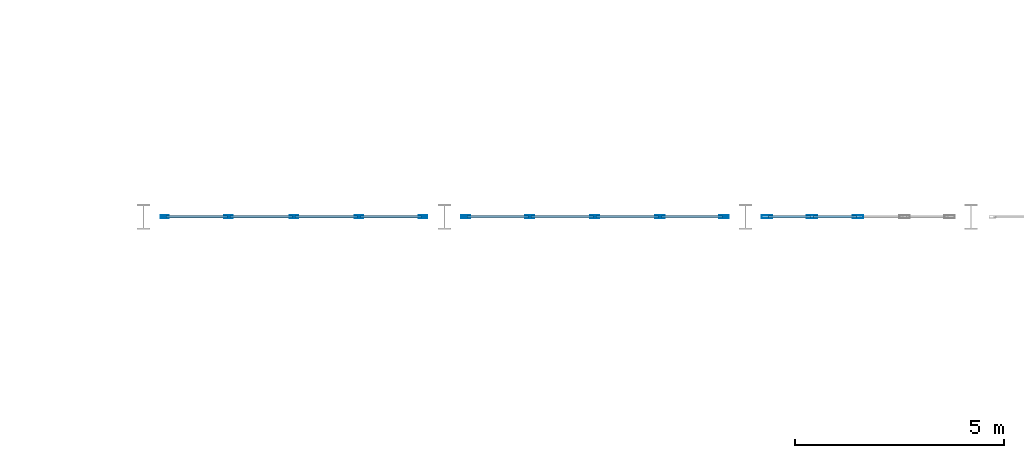
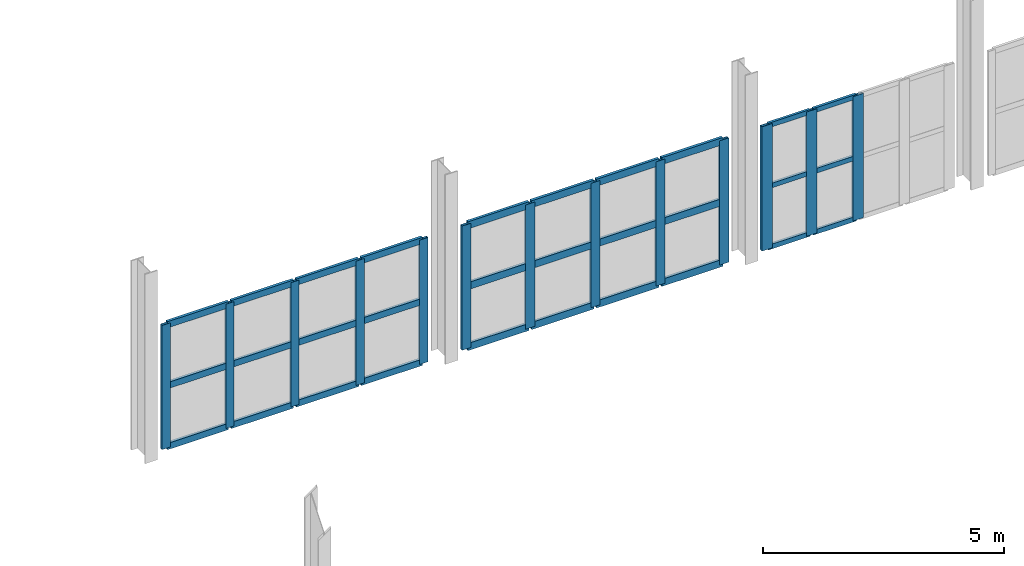
# One storey, part 26 of 41: 43 members, 3 elements without a shape of their own.
"""IFC4 building model written with IfcOpenShell, lengths in metres."""

from ifc_helpers import new_model, si_unit, direction, frame, origin, origin_2d, place, context, subcontext, project, spatial, hollow_rectangle, extrude, material, layer, layer_set, material_profile, profile_set, type_object, element, aggregate, save


model = new_model("IFC4")

# Units and contexts
model_context = context("Model", 3, precision=1e-05, world=origin(), true_north=direction((0.0, 1.0)))
body_context = subcontext(model_context, "Body", "Model", "MODEL_VIEW")
ifc_project = project(units=[si_unit("LENGTHUNIT", "METRE"), si_unit("AREAUNIT", "SQUARE_METRE"), si_unit("VOLUMEUNIT", "CUBIC_METRE"), si_unit("PLANEANGLEUNIT", "RADIAN"), si_unit("MASSUNIT", "GRAM", prefix="KILO")], contexts=[model_context])

# Site, building, storey
site_placement = place(None, origin())
site = spatial("IfcSite", under=ifc_project, at=site_placement, CompositionType="ELEMENT")
building_placement = place(site_placement, origin())
building = spatial("IfcBuilding", under=site, at=building_placement, Name="Solvadek Multi-Sports Hall", CompositionType="ELEMENT")
storey_placement = place(building_placement, frame((0.0, 0.0, 14.39990234375)))
storey = spatial("IfcBuildingStorey", under=building, at=storey_placement, Name="L03", CompositionType="ELEMENT", Elevation=14.39990234375)

# Curtain wall, members
ifc_material = material(Name="Anodised aluminium", Category="aluminium")
ifc_layer_1 = layer(ifc_material, 0.159912109375, Name="Anodised aluminium")
ifc_layer_set_1 = layer_set([ifc_layer_1], Name="Anodised aluminium")
curtain_wall_type_1 = type_object("IfcCurtainWallType", Name="ENV-CW-624X315", PredefinedType="USERDEFINED", material=ifc_layer_set_1)
curtain_wall_1_placement = place(storey_placement, origin())
curtain_wall_1 = element("IfcCurtainWall", 1, at=curtain_wall_1_placement, inside=storey, type_object=curtain_wall_type_1, Name="L03 Perimeter Bay Curtain Wall #132", ObjectType="CURTAIN WALL", PredefinedType="USERDEFINED")
ifc_material_profile_1 = material_profile(ifc_material, hollow_rectangle(XDim=0.06494140625, YDim=0.199951171875, WallThickness=0.0048828125, at=origin_2d()), Name="ALU-M 200x65x5")
ifc_profile_set_1 = profile_set([ifc_material_profile_1], Name="Anodised aluminium")
member_type_1 = type_object("IfcMemberType", Name="ENV-CWM-03", PredefinedType="MULLION", material=ifc_profile_set_1)
member_1_placement = place(storey_placement, frame((137.3125, 70.800048828125, 0.0), z_axis=(0.0, 0.0, 1.0), x_axis=(0.0, 1.0, 0.0)))
member_1 = element("IfcMember", 2, at=member_1_placement, type_object=member_type_1, Name="CW-44 mullion 1", PredefinedType="MULLION", context=body_context, shape_type="SweptSolid", body=[
    extrude(hollow_rectangle(XDim=0.06494140625, YDim=0.199951171875, WallThickness=0.0048828125, at=origin_2d()), origin(), (0.0, 0.0, 1.0), 3.150146484375),
])
member_2_placement = place(storey_placement, frame((138.840087890625, 70.800048828125, 0.0), z_axis=(0.0, 0.0, 1.0), x_axis=(0.0, 1.0, 0.0)))
member_2 = element("IfcMember", 3, at=member_2_placement, type_object=member_type_1, Name="CW-44 mullion 2", PredefinedType="MULLION", context=body_context, shape_type="SweptSolid", body=[
    extrude(hollow_rectangle(XDim=0.06494140625, YDim=0.199951171875, WallThickness=0.0048828125, at=origin_2d()), origin(), (0.0, 0.0, 1.0), 3.150146484375),
])
member_3_placement = place(storey_placement, frame((140.39990234375, 70.800048828125, 0.0), z_axis=(0.0, 0.0, 1.0), x_axis=(0.0, 1.0, 0.0)))
member_3 = element("IfcMember", 4, at=member_3_placement, type_object=member_type_1, Name="CW-44 mullion 3", PredefinedType="MULLION", context=body_context, shape_type="SweptSolid", body=[
    extrude(hollow_rectangle(XDim=0.06494140625, YDim=0.199951171875, WallThickness=0.0048828125, at=origin_2d()), origin(), (0.0, 0.0, 1.0), 3.150146484375),
])
member_4_placement = place(storey_placement, frame((141.9599609375, 70.800048828125, 0.0), z_axis=(0.0, 0.0, 1.0), x_axis=(0.0, 1.0, 0.0)))
member_4 = element("IfcMember", 5, at=member_4_placement, type_object=member_type_1, Name="CW-44 mullion 4", PredefinedType="MULLION", context=body_context, shape_type="SweptSolid", body=[
    extrude(hollow_rectangle(XDim=0.06494140625, YDim=0.199951171875, WallThickness=0.0048828125, at=origin_2d()), origin(), (0.0, 0.0, 1.0), 3.150146484375),
])
member_5_placement = place(storey_placement, frame((143.487548828125, 70.800048828125, 0.0), z_axis=(0.0, 0.0, 1.0), x_axis=(0.0, 1.0, 0.0)))
member_5 = element("IfcMember", 6, at=member_5_placement, type_object=member_type_1, Name="CW-44 mullion 5", PredefinedType="MULLION", context=body_context, shape_type="SweptSolid", body=[
    extrude(hollow_rectangle(XDim=0.06494140625, YDim=0.199951171875, WallThickness=0.0048828125, at=origin_2d()), origin(), (0.0, 0.0, 1.0), 3.150146484375),
])

curtain_wall_2_placement = place(storey_placement, origin())
curtain_wall_2 = element("IfcCurtainWall", 7, at=curtain_wall_2_placement, inside=storey, type_object=curtain_wall_type_1, Name="L03 Perimeter Bay Curtain Wall #135", ObjectType="CURTAIN WALL", PredefinedType="USERDEFINED")
ifc_material_profile_2 = material_profile(ifc_material, hollow_rectangle(XDim=0.06494140625, YDim=0.219970703125, WallThickness=0.0048828125, at=origin_2d()), Name="ALU-M 220x65x5")
ifc_profile_set_2 = profile_set([ifc_material_profile_2], Name="Anodised aluminium")
member_type_2 = type_object("IfcMemberType", Name="ENV-CWM-04", PredefinedType="MULLION", material=ifc_profile_set_2)
member_6_placement = place(storey_placement, frame((144.512451171875, 70.800048828125, 0.0), z_axis=(0.0, 0.0, 1.0), x_axis=(0.0, 1.0, 0.0)))
member_6 = element("IfcMember", 8, at=member_6_placement, type_object=member_type_2, Name="CW-44 mullion 1", PredefinedType="MULLION", context=body_context, shape_type="SweptSolid", body=[
    extrude(hollow_rectangle(XDim=0.06494140625, YDim=0.219970703125, WallThickness=0.0048828125, at=origin_2d()), origin(), (0.0, 0.0, 1.0), 3.150146484375),
])
member_7_placement = place(storey_placement, frame((146.0400390625, 70.800048828125, 0.0), z_axis=(0.0, 0.0, 1.0), x_axis=(0.0, 1.0, 0.0)))
member_7 = element("IfcMember", 9, at=member_7_placement, type_object=member_type_2, Name="CW-44 mullion 2", PredefinedType="MULLION", context=body_context, shape_type="SweptSolid", body=[
    extrude(hollow_rectangle(XDim=0.06494140625, YDim=0.219970703125, WallThickness=0.0048828125, at=origin_2d()), origin(), (0.0, 0.0, 1.0), 3.150146484375),
])
member_8_placement = place(storey_placement, frame((147.60009765625, 70.800048828125, 0.0), z_axis=(0.0, 0.0, 1.0), x_axis=(0.0, 1.0, 0.0)))
member_8 = element("IfcMember", 10, at=member_8_placement, type_object=member_type_2, Name="CW-44 mullion 3", PredefinedType="MULLION", context=body_context, shape_type="SweptSolid", body=[
    extrude(hollow_rectangle(XDim=0.06494140625, YDim=0.219970703125, WallThickness=0.0048828125, at=origin_2d()), origin(), (0.0, 0.0, 1.0), 3.150146484375),
])
member_9_placement = place(storey_placement, frame((149.159912109375, 70.800048828125, 0.0), z_axis=(0.0, 0.0, 1.0), x_axis=(0.0, 1.0, 0.0)))
member_9 = element("IfcMember", 11, at=member_9_placement, type_object=member_type_2, Name="CW-44 mullion 4", PredefinedType="MULLION", context=body_context, shape_type="SweptSolid", body=[
    extrude(hollow_rectangle(XDim=0.06494140625, YDim=0.219970703125, WallThickness=0.0048828125, at=origin_2d()), origin(), (0.0, 0.0, 1.0), 3.150146484375),
])
member_10_placement = place(storey_placement, frame((150.6875, 70.800048828125, 0.0), z_axis=(0.0, 0.0, 1.0), x_axis=(0.0, 1.0, 0.0)))
member_10 = element("IfcMember", 12, at=member_10_placement, type_object=member_type_2, Name="CW-44 mullion 5", PredefinedType="MULLION", context=body_context, shape_type="SweptSolid", body=[
    extrude(hollow_rectangle(XDim=0.06494140625, YDim=0.219970703125, WallThickness=0.0048828125, at=origin_2d()), origin(), (0.0, 0.0, 1.0), 3.150146484375),
])

ifc_layer_2 = layer(ifc_material, 0.159912109375, Name="Anodised aluminium")
ifc_layer_set_2 = layer_set([ifc_layer_2], Name="Anodised aluminium")
curtain_wall_type_2 = type_object("IfcCurtainWallType", Name="ENV-CW-444X315", PredefinedType="USERDEFINED", material=ifc_layer_set_2)
curtain_wall_3_placement = place(storey_placement, origin())
curtain_wall_3 = element("IfcCurtainWall", 13, at=curtain_wall_3_placement, inside=storey, type_object=curtain_wall_type_2, Name="L03 Perimeter Bay Curtain Wall #139", ObjectType="CURTAIN WALL", PredefinedType="USERDEFINED")
ifc_material_profile_3 = material_profile(ifc_material, hollow_rectangle(XDim=0.070068359375, YDim=0.25, WallThickness=0.0048828125, at=origin_2d()), Name="ALU-M 250x70x5")
ifc_profile_set_3 = profile_set([ifc_material_profile_3], Name="Anodised aluminium")
member_type_3 = type_object("IfcMemberType", Name="ENV-CWM-05", PredefinedType="MULLION", material=ifc_profile_set_3)
member_11_placement = place(storey_placement, frame((151.715087890625, 70.800048828125, 0.0), z_axis=(0.0, 0.0, 1.0), x_axis=(0.0, 1.0, 0.0)))
member_11 = element("IfcMember", 14, at=member_11_placement, type_object=member_type_3, Name="CW-47 mullion 1", PredefinedType="MULLION", context=body_context, shape_type="SweptSolid", body=[
    extrude(hollow_rectangle(XDim=0.070068359375, YDim=0.25, WallThickness=0.0048828125, at=origin_2d()), origin(), (0.0, 0.0, 1.0), 3.150146484375),
])
member_12_placement = place(storey_placement, frame((152.7900390625, 70.800048828125, 0.0), z_axis=(0.0, 0.0, 1.0), x_axis=(0.0, 1.0, 0.0)))
member_12 = element("IfcMember", 15, at=member_12_placement, type_object=member_type_3, Name="CW-47 mullion 2", PredefinedType="MULLION", context=body_context, shape_type="SweptSolid", body=[
    extrude(hollow_rectangle(XDim=0.070068359375, YDim=0.25, WallThickness=0.0048828125, at=origin_2d()), origin(), (0.0, 0.0, 1.0), 3.150146484375),
])
member_13_placement = place(storey_placement, frame((153.89990234375, 70.800048828125, 0.0), z_axis=(0.0, 0.0, 1.0), x_axis=(0.0, 1.0, 0.0)))
member_13 = element("IfcMember", 16, at=member_13_placement, type_object=member_type_3, Name="CW-47 mullion 3", PredefinedType="MULLION", context=body_context, shape_type="SweptSolid", body=[
    extrude(hollow_rectangle(XDim=0.070068359375, YDim=0.25, WallThickness=0.0048828125, at=origin_2d()), origin(), (0.0, 0.0, 1.0), 3.150146484375),
])
ifc_material_profile_4 = material_profile(ifc_material, hollow_rectangle(XDim=0.06005859375, YDim=0.1201171875, WallThickness=0.00390625, at=origin_2d()), Name="ALU-T 120x60x4")
ifc_profile_set_4 = profile_set([ifc_material_profile_4], Name="Anodised aluminium")
member_type_4 = type_object("IfcMemberType", Name="ENV-CWT-01", PredefinedType="USERDEFINED", material=ifc_profile_set_4)
member_14_placement = place(storey_placement, frame((151.75, 70.800048828125, 0.030029296875), z_axis=(1.0, 0.0, 0.0), x_axis=(0.0, 1.0, 0.0)))
member_14 = element("IfcMember", 17, at=member_14_placement, type_object=member_type_4, Name="CW-47 transom 1.1", ObjectType="TRANSOM", PredefinedType="USERDEFINED", context=body_context, shape_type="SweptSolid", body=[
    extrude(hollow_rectangle(XDim=0.06005859375, YDim=0.1201171875, WallThickness=0.00390625, at=origin_2d()), origin(), (0.0, 0.0, 1.0), 1.0048828125),
])
member_15_placement = place(storey_placement, frame((151.75, 70.800048828125, 1.5751953125), z_axis=(1.0, 0.0, 0.0), x_axis=(0.0, 1.0, 0.0)))
member_15 = element("IfcMember", 18, at=member_15_placement, type_object=member_type_4, Name="CW-47 transom 1.2", ObjectType="TRANSOM", PredefinedType="USERDEFINED", context=body_context, shape_type="SweptSolid", body=[
    extrude(hollow_rectangle(XDim=0.06005859375, YDim=0.1201171875, WallThickness=0.00390625, at=origin_2d()), origin(), (0.0, 0.0, 1.0), 1.0048828125),
])
member_16_placement = place(storey_placement, frame((151.75, 70.800048828125, 3.1201171875), z_axis=(1.0, 0.0, 0.0), x_axis=(0.0, 1.0, 0.0)))
member_16 = element("IfcMember", 19, at=member_16_placement, type_object=member_type_4, Name="CW-47 transom 1.3", ObjectType="TRANSOM", PredefinedType="USERDEFINED", context=body_context, shape_type="SweptSolid", body=[
    extrude(hollow_rectangle(XDim=0.06005859375, YDim=0.1201171875, WallThickness=0.00390625, at=origin_2d()), origin(), (0.0, 0.0, 1.0), 1.0048828125),
])
member_17_placement = place(storey_placement, frame((152.824951171875, 70.800048828125, 0.030029296875), z_axis=(1.0, 0.0, 0.0), x_axis=(0.0, 1.0, 0.0)))
member_17 = element("IfcMember", 20, at=member_17_placement, type_object=member_type_4, Name="CW-47 transom 2.1", ObjectType="TRANSOM", PredefinedType="USERDEFINED", context=body_context, shape_type="SweptSolid", body=[
    extrude(hollow_rectangle(XDim=0.06005859375, YDim=0.1201171875, WallThickness=0.00390625, at=origin_2d()), origin(), (0.0, 0.0, 1.0), 1.0400390625),
])
member_18_placement = place(storey_placement, frame((152.824951171875, 70.800048828125, 1.5751953125), z_axis=(1.0, 0.0, 0.0), x_axis=(0.0, 1.0, 0.0)))
member_18 = element("IfcMember", 21, at=member_18_placement, type_object=member_type_4, Name="CW-47 transom 2.2", ObjectType="TRANSOM", PredefinedType="USERDEFINED", context=body_context, shape_type="SweptSolid", body=[
    extrude(hollow_rectangle(XDim=0.06005859375, YDim=0.1201171875, WallThickness=0.00390625, at=origin_2d()), origin(), (0.0, 0.0, 1.0), 1.0400390625),
])
member_19_placement = place(storey_placement, frame((152.824951171875, 70.800048828125, 3.1201171875), z_axis=(1.0, 0.0, 0.0), x_axis=(0.0, 1.0, 0.0)))
member_19 = element("IfcMember", 22, at=member_19_placement, type_object=member_type_4, Name="CW-47 transom 2.3", ObjectType="TRANSOM", PredefinedType="USERDEFINED", context=body_context, shape_type="SweptSolid", body=[
    extrude(hollow_rectangle(XDim=0.06005859375, YDim=0.1201171875, WallThickness=0.00390625, at=origin_2d()), origin(), (0.0, 0.0, 1.0), 1.0400390625),
])
aggregate(curtain_wall_3, [member_11, member_12, member_13, member_14, member_15, member_16, member_17, member_18, member_19])

# Member
ifc_material_profile_5 = material_profile(ifc_material, hollow_rectangle(XDim=0.06494140625, YDim=0.159912109375, WallThickness=0.00390625, at=origin_2d()), Name="ALU-T 160x65x4")
ifc_profile_set_5 = profile_set([ifc_material_profile_5], Name="Anodised aluminium")
member_type_5 = type_object("IfcMemberType", Name="ENV-CWT-03", PredefinedType="USERDEFINED", material=ifc_profile_set_5)
member_20_placement = place(storey_placement, frame((137.344970703125, 70.800048828125, 0.03271484375), z_axis=(1.0, 0.0, 0.0), x_axis=(0.0, 1.0, 0.0)))
member_20 = element("IfcMember", 23, at=member_20_placement, type_object=member_type_5, Name="CW-44 transom 1.1", ObjectType="TRANSOM", PredefinedType="USERDEFINED", context=body_context, shape_type="SweptSolid", body=[
    extrude(hollow_rectangle(XDim=0.06494140625, YDim=0.159912109375, WallThickness=0.00390625, at=origin_2d()), origin(), (0.0, 0.0, 1.0), 1.462646484375),
])

member_21_placement = place(storey_placement, frame((137.344970703125, 70.800048828125, 1.5751953125), z_axis=(1.0, 0.0, 0.0), x_axis=(0.0, 1.0, 0.0)))
member_21 = element("IfcMember", 24, at=member_21_placement, type_object=member_type_5, Name="CW-44 transom 1.2", ObjectType="TRANSOM", PredefinedType="USERDEFINED", context=body_context, shape_type="SweptSolid", body=[
    extrude(hollow_rectangle(XDim=0.06494140625, YDim=0.159912109375, WallThickness=0.00390625, at=origin_2d()), origin(), (0.0, 0.0, 1.0), 1.462646484375),
])

member_22_placement = place(storey_placement, frame((137.344970703125, 70.800048828125, 3.11767578125), z_axis=(1.0, 0.0, 0.0), x_axis=(0.0, 1.0, 0.0)))
member_22 = element("IfcMember", 25, at=member_22_placement, type_object=member_type_5, Name="CW-44 transom 1.3", ObjectType="TRANSOM", PredefinedType="USERDEFINED", context=body_context, shape_type="SweptSolid", body=[
    extrude(hollow_rectangle(XDim=0.06494140625, YDim=0.159912109375, WallThickness=0.00390625, at=origin_2d()), origin(), (0.0, 0.0, 1.0), 1.462646484375),
])

member_23_placement = place(storey_placement, frame((138.87255859375, 70.800048828125, 0.03271484375), z_axis=(1.0, 0.0, 0.0), x_axis=(0.0, 1.0, 0.0)))
member_23 = element("IfcMember", 26, at=member_23_placement, type_object=member_type_5, Name="CW-44 transom 2.1", ObjectType="TRANSOM", PredefinedType="USERDEFINED", context=body_context, shape_type="SweptSolid", body=[
    extrude(hollow_rectangle(XDim=0.06494140625, YDim=0.159912109375, WallThickness=0.00390625, at=origin_2d()), origin(), (0.0, 0.0, 1.0), 1.494873046875),
])

member_24_placement = place(storey_placement, frame((138.87255859375, 70.800048828125, 1.5751953125), z_axis=(1.0, 0.0, 0.0), x_axis=(0.0, 1.0, 0.0)))
member_24 = element("IfcMember", 27, at=member_24_placement, type_object=member_type_5, Name="CW-44 transom 2.2", ObjectType="TRANSOM", PredefinedType="USERDEFINED", context=body_context, shape_type="SweptSolid", body=[
    extrude(hollow_rectangle(XDim=0.06494140625, YDim=0.159912109375, WallThickness=0.00390625, at=origin_2d()), origin(), (0.0, 0.0, 1.0), 1.494873046875),
])

member_25_placement = place(storey_placement, frame((138.87255859375, 70.800048828125, 3.11767578125), z_axis=(1.0, 0.0, 0.0), x_axis=(0.0, 1.0, 0.0)))
member_25 = element("IfcMember", 28, at=member_25_placement, type_object=member_type_5, Name="CW-44 transom 2.3", ObjectType="TRANSOM", PredefinedType="USERDEFINED", context=body_context, shape_type="SweptSolid", body=[
    extrude(hollow_rectangle(XDim=0.06494140625, YDim=0.159912109375, WallThickness=0.00390625, at=origin_2d()), origin(), (0.0, 0.0, 1.0), 1.494873046875),
])

member_26_placement = place(storey_placement, frame((140.4326171875, 70.800048828125, 0.03271484375), z_axis=(1.0, 0.0, 0.0), x_axis=(0.0, 1.0, 0.0)))
member_26 = element("IfcMember", 29, at=member_26_placement, type_object=member_type_5, Name="CW-44 transom 3.1", ObjectType="TRANSOM", PredefinedType="USERDEFINED", context=body_context, shape_type="SweptSolid", body=[
    extrude(hollow_rectangle(XDim=0.06494140625, YDim=0.159912109375, WallThickness=0.00390625, at=origin_2d()), origin(), (0.0, 0.0, 1.0), 1.494873046875),
])

member_27_placement = place(storey_placement, frame((140.4326171875, 70.800048828125, 1.5751953125), z_axis=(1.0, 0.0, 0.0), x_axis=(0.0, 1.0, 0.0)))
member_27 = element("IfcMember", 30, at=member_27_placement, type_object=member_type_5, Name="CW-44 transom 3.2", ObjectType="TRANSOM", PredefinedType="USERDEFINED", context=body_context, shape_type="SweptSolid", body=[
    extrude(hollow_rectangle(XDim=0.06494140625, YDim=0.159912109375, WallThickness=0.00390625, at=origin_2d()), origin(), (0.0, 0.0, 1.0), 1.494873046875),
])

member_28_placement = place(storey_placement, frame((140.4326171875, 70.800048828125, 3.11767578125), z_axis=(1.0, 0.0, 0.0), x_axis=(0.0, 1.0, 0.0)))
member_28 = element("IfcMember", 31, at=member_28_placement, type_object=member_type_5, Name="CW-44 transom 3.3", ObjectType="TRANSOM", PredefinedType="USERDEFINED", context=body_context, shape_type="SweptSolid", body=[
    extrude(hollow_rectangle(XDim=0.06494140625, YDim=0.159912109375, WallThickness=0.00390625, at=origin_2d()), origin(), (0.0, 0.0, 1.0), 1.494873046875),
])

member_29_placement = place(storey_placement, frame((141.992431640625, 70.800048828125, 0.03271484375), z_axis=(1.0, 0.0, 0.0), x_axis=(0.0, 1.0, 0.0)))
member_29 = element("IfcMember", 32, at=member_29_placement, type_object=member_type_5, Name="CW-44 transom 4.1", ObjectType="TRANSOM", PredefinedType="USERDEFINED", context=body_context, shape_type="SweptSolid", body=[
    extrude(hollow_rectangle(XDim=0.06494140625, YDim=0.159912109375, WallThickness=0.00390625, at=origin_2d()), origin(), (0.0, 0.0, 1.0), 1.462646484375),
])

member_30_placement = place(storey_placement, frame((141.992431640625, 70.800048828125, 1.5751953125), z_axis=(1.0, 0.0, 0.0), x_axis=(0.0, 1.0, 0.0)))
member_30 = element("IfcMember", 33, at=member_30_placement, type_object=member_type_5, Name="CW-44 transom 4.2", ObjectType="TRANSOM", PredefinedType="USERDEFINED", context=body_context, shape_type="SweptSolid", body=[
    extrude(hollow_rectangle(XDim=0.06494140625, YDim=0.159912109375, WallThickness=0.00390625, at=origin_2d()), origin(), (0.0, 0.0, 1.0), 1.462646484375),
])

member_31_placement = place(storey_placement, frame((141.992431640625, 70.800048828125, 3.11767578125), z_axis=(1.0, 0.0, 0.0), x_axis=(0.0, 1.0, 0.0)))
member_31 = element("IfcMember", 34, at=member_31_placement, type_object=member_type_5, Name="CW-44 transom 4.3", ObjectType="TRANSOM", PredefinedType="USERDEFINED", context=body_context, shape_type="SweptSolid", body=[
    extrude(hollow_rectangle(XDim=0.06494140625, YDim=0.159912109375, WallThickness=0.00390625, at=origin_2d()), origin(), (0.0, 0.0, 1.0), 1.462646484375),
])

aggregate(curtain_wall_1, [member_1, member_2, member_3, member_4, member_5, member_20, member_21, member_22, member_23, member_24, member_25, member_26, member_27, member_28, member_29, member_30, member_31])

ifc_material_profile_6 = material_profile(ifc_material, hollow_rectangle(XDim=0.06494140625, YDim=0.179931640625, WallThickness=0.0048828125, at=origin_2d()), Name="ALU-T 180x65x5")
ifc_profile_set_6 = profile_set([ifc_material_profile_6], Name="Anodised aluminium")
member_type_6 = type_object("IfcMemberType", Name="ENV-CWT-04", PredefinedType="USERDEFINED", material=ifc_profile_set_6)
member_32_placement = place(storey_placement, frame((144.544921875, 70.800048828125, 0.03271484375), z_axis=(1.0, 0.0, 0.0), x_axis=(0.0, 1.0, 0.0)))
member_32 = element("IfcMember", 35, at=member_32_placement, type_object=member_type_6, Name="CW-44 transom 1.1", ObjectType="TRANSOM", PredefinedType="USERDEFINED", context=body_context, shape_type="SweptSolid", body=[
    extrude(hollow_rectangle(XDim=0.06494140625, YDim=0.179931640625, WallThickness=0.0048828125, at=origin_2d()), origin(), (0.0, 0.0, 1.0), 1.462646484375),
])

member_33_placement = place(storey_placement, frame((144.544921875, 70.800048828125, 1.5751953125), z_axis=(1.0, 0.0, 0.0), x_axis=(0.0, 1.0, 0.0)))
member_33 = element("IfcMember", 36, at=member_33_placement, type_object=member_type_6, Name="CW-44 transom 1.2", ObjectType="TRANSOM", PredefinedType="USERDEFINED", context=body_context, shape_type="SweptSolid", body=[
    extrude(hollow_rectangle(XDim=0.06494140625, YDim=0.179931640625, WallThickness=0.0048828125, at=origin_2d()), origin(), (0.0, 0.0, 1.0), 1.462646484375),
])

member_34_placement = place(storey_placement, frame((144.544921875, 70.800048828125, 3.11767578125), z_axis=(1.0, 0.0, 0.0), x_axis=(0.0, 1.0, 0.0)))
member_34 = element("IfcMember", 37, at=member_34_placement, type_object=member_type_6, Name="CW-44 transom 1.3", ObjectType="TRANSOM", PredefinedType="USERDEFINED", context=body_context, shape_type="SweptSolid", body=[
    extrude(hollow_rectangle(XDim=0.06494140625, YDim=0.179931640625, WallThickness=0.0048828125, at=origin_2d()), origin(), (0.0, 0.0, 1.0), 1.462646484375),
])

member_35_placement = place(storey_placement, frame((146.072509765625, 70.800048828125, 0.03271484375), z_axis=(1.0, 0.0, 0.0), x_axis=(0.0, 1.0, 0.0)))
member_35 = element("IfcMember", 38, at=member_35_placement, type_object=member_type_6, Name="CW-44 transom 2.1", ObjectType="TRANSOM", PredefinedType="USERDEFINED", context=body_context, shape_type="SweptSolid", body=[
    extrude(hollow_rectangle(XDim=0.06494140625, YDim=0.179931640625, WallThickness=0.0048828125, at=origin_2d()), origin(), (0.0, 0.0, 1.0), 1.494873046875),
])

member_36_placement = place(storey_placement, frame((146.072509765625, 70.800048828125, 1.5751953125), z_axis=(1.0, 0.0, 0.0), x_axis=(0.0, 1.0, 0.0)))
member_36 = element("IfcMember", 39, at=member_36_placement, type_object=member_type_6, Name="CW-44 transom 2.2", ObjectType="TRANSOM", PredefinedType="USERDEFINED", context=body_context, shape_type="SweptSolid", body=[
    extrude(hollow_rectangle(XDim=0.06494140625, YDim=0.179931640625, WallThickness=0.0048828125, at=origin_2d()), origin(), (0.0, 0.0, 1.0), 1.494873046875),
])

member_37_placement = place(storey_placement, frame((146.072509765625, 70.800048828125, 3.11767578125), z_axis=(1.0, 0.0, 0.0), x_axis=(0.0, 1.0, 0.0)))
member_37 = element("IfcMember", 40, at=member_37_placement, type_object=member_type_6, Name="CW-44 transom 2.3", ObjectType="TRANSOM", PredefinedType="USERDEFINED", context=body_context, shape_type="SweptSolid", body=[
    extrude(hollow_rectangle(XDim=0.06494140625, YDim=0.179931640625, WallThickness=0.0048828125, at=origin_2d()), origin(), (0.0, 0.0, 1.0), 1.494873046875),
])

member_38_placement = place(storey_placement, frame((147.632568359375, 70.800048828125, 0.03271484375), z_axis=(1.0, 0.0, 0.0), x_axis=(0.0, 1.0, 0.0)))
member_38 = element("IfcMember", 41, at=member_38_placement, type_object=member_type_6, Name="CW-44 transom 3.1", ObjectType="TRANSOM", PredefinedType="USERDEFINED", context=body_context, shape_type="SweptSolid", body=[
    extrude(hollow_rectangle(XDim=0.06494140625, YDim=0.179931640625, WallThickness=0.0048828125, at=origin_2d()), origin(), (0.0, 0.0, 1.0), 1.494873046875),
])

member_39_placement = place(storey_placement, frame((147.632568359375, 70.800048828125, 1.5751953125), z_axis=(1.0, 0.0, 0.0), x_axis=(0.0, 1.0, 0.0)))
member_39 = element("IfcMember", 42, at=member_39_placement, type_object=member_type_6, Name="CW-44 transom 3.2", ObjectType="TRANSOM", PredefinedType="USERDEFINED", context=body_context, shape_type="SweptSolid", body=[
    extrude(hollow_rectangle(XDim=0.06494140625, YDim=0.179931640625, WallThickness=0.0048828125, at=origin_2d()), origin(), (0.0, 0.0, 1.0), 1.494873046875),
])

member_40_placement = place(storey_placement, frame((147.632568359375, 70.800048828125, 3.11767578125), z_axis=(1.0, 0.0, 0.0), x_axis=(0.0, 1.0, 0.0)))
member_40 = element("IfcMember", 43, at=member_40_placement, type_object=member_type_6, Name="CW-44 transom 3.3", ObjectType="TRANSOM", PredefinedType="USERDEFINED", context=body_context, shape_type="SweptSolid", body=[
    extrude(hollow_rectangle(XDim=0.06494140625, YDim=0.179931640625, WallThickness=0.0048828125, at=origin_2d()), origin(), (0.0, 0.0, 1.0), 1.494873046875),
])

member_41_placement = place(storey_placement, frame((149.1923828125, 70.800048828125, 0.03271484375), z_axis=(1.0, 0.0, 0.0), x_axis=(0.0, 1.0, 0.0)))
member_41 = element("IfcMember", 44, at=member_41_placement, type_object=member_type_6, Name="CW-44 transom 4.1", ObjectType="TRANSOM", PredefinedType="USERDEFINED", context=body_context, shape_type="SweptSolid", body=[
    extrude(hollow_rectangle(XDim=0.06494140625, YDim=0.179931640625, WallThickness=0.0048828125, at=origin_2d()), origin(), (0.0, 0.0, 1.0), 1.462646484375),
])

member_42_placement = place(storey_placement, frame((149.1923828125, 70.800048828125, 1.5751953125), z_axis=(1.0, 0.0, 0.0), x_axis=(0.0, 1.0, 0.0)))
member_42 = element("IfcMember", 45, at=member_42_placement, type_object=member_type_6, Name="CW-44 transom 4.2", ObjectType="TRANSOM", PredefinedType="USERDEFINED", context=body_context, shape_type="SweptSolid", body=[
    extrude(hollow_rectangle(XDim=0.06494140625, YDim=0.179931640625, WallThickness=0.0048828125, at=origin_2d()), origin(), (0.0, 0.0, 1.0), 1.462646484375),
])

member_43_placement = place(storey_placement, frame((149.1923828125, 70.800048828125, 3.11767578125), z_axis=(1.0, 0.0, 0.0), x_axis=(0.0, 1.0, 0.0)))
member_43 = element("IfcMember", 46, at=member_43_placement, type_object=member_type_6, Name="CW-44 transom 4.3", ObjectType="TRANSOM", PredefinedType="USERDEFINED", context=body_context, shape_type="SweptSolid", body=[
    extrude(hollow_rectangle(XDim=0.06494140625, YDim=0.179931640625, WallThickness=0.0048828125, at=origin_2d()), origin(), (0.0, 0.0, 1.0), 1.462646484375),
])

aggregate(curtain_wall_2, [member_6, member_7, member_8, member_9, member_10, member_32, member_33, member_34, member_35, member_36, member_37, member_38, member_39, member_40, member_41, member_42, member_43])

save(model, "model.ifc")
